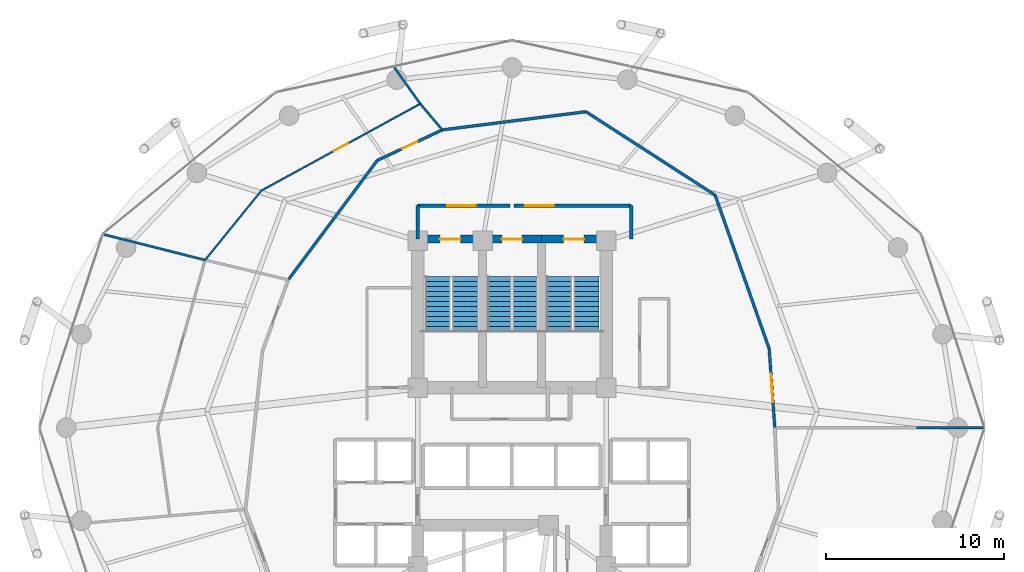
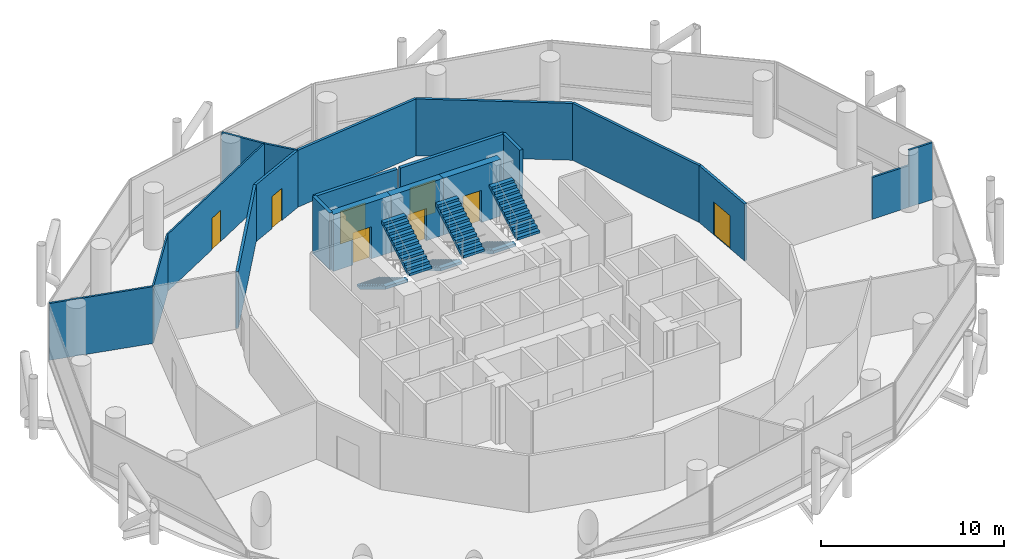
# One storey, part 23 of 24: 20 walls, 8 doors, 6 stair flights, 8 openings, 3 elements without a shape of their own.
"""IFC4 building model written with IfcOpenShell, lengths in metres."""

from ifc_helpers import new_model, si_unit, direction, frame, frame_2d, origin, place, context, subcontext, project, spatial, polyline, rectangle, outline, extrude, material, layer, layer_set, type_object, element, fill, aggregate, save


model = new_model("IFC4")

# Units and contexts
model_context = context("Model", 3, precision=1e-05, world=origin(), true_north=direction((0.0, 1.0)))
body_context = subcontext(model_context, "Body", "Model", "MODEL_VIEW")
ifc_project = project(units=[si_unit("LENGTHUNIT", "METRE"), si_unit("AREAUNIT", "SQUARE_METRE"), si_unit("VOLUMEUNIT", "CUBIC_METRE"), si_unit("PLANEANGLEUNIT", "RADIAN"), si_unit("MASSUNIT", "GRAM", prefix="KILO")], contexts=[model_context])

# Site, building, storey
site_placement = place(None, origin())
site = spatial("IfcSite", under=ifc_project, at=site_placement, CompositionType="ELEMENT")
building_placement = place(site_placement, origin())
building = spatial("IfcBuilding", under=site, at=building_placement, Name="Nuhasar Tower", CompositionType="ELEMENT")
storey_placement = place(building_placement, frame((0.0, 0.0, 89.85009765625)))
storey = spatial("IfcBuildingStorey", under=building, at=storey_placement, Name="L21", CompositionType="ELEMENT", Elevation=89.85009765625)

# Wall, opening, door
ifc_material_1 = material(Name="Concrete C50/60", Category="concrete")
ifc_layer_1 = layer(ifc_material_1, 0.449951171875)
ifc_layer_set_1 = layer_set([ifc_layer_1], Name="Concrete C50/60")
wall_type_1 = type_object("IfcWallType", Name="WL-CORE-450", PredefinedType="SHEAR", material=ifc_layer_set_1)
wall_1_placement = place(storey_placement, frame((37.35009765625, 37.39990234375, 0.0), z_axis=(0.0, 0.0, 1.0), x_axis=(-1.0, 0.0, 0.0)))
wall_1 = element("IfcWall", 1, at=wall_1_placement, inside=storey, type_object=wall_type_1, Name="L21 Stairwell Shear Wall ST01-N", PredefinedType="SHEAR", context=body_context, shape_type="SweptSolid", body=[
    extrude(rectangle(XDim=3.650146484375, YDim=0.449951171875, at=frame_2d((1.8251953125, 0.0))), origin(), (0.0, 0.0, 1.0), 3.7998046875),
])
opening_1_placement = place(wall_1_placement, frame((1.25, 0.0, 0.0)))
opening_1 = element("IfcOpeningElement", 2, at=opening_1_placement, cuts=wall_1, Name="Opening DS-01", PredefinedType="OPENING", context=body_context, shape_type="SweptSolid", body=[
    extrude(rectangle(XDim=1.14990234375, YDim=2.14990234375, at=frame_2d((0.574951171875, 1.074951171875))), frame((0.0, 0.23486328125, 0.0), z_axis=(0.0, -1.0, 0.0), x_axis=(1.0, 0.0, 0.0)), (0.0, 0.0, 1.0), 0.469970703125),
])
ifc_material_2 = material(Name="Steel S355", Category="steel")
door_type_1 = type_object("IfcDoorType", Name="DR-STAIR-FD120-1150", OperationType="NOTDEFINED", PredefinedType="DOOR", material=ifc_material_2)
door_1_placement = place(opening_1_placement, origin())
door_1 = element("IfcDoor", 3, at=door_1_placement, inside=storey, type_object=door_type_1, Name="L21 Exit Stair ST-01 Door", OperationType="SINGLE_SWING_RIGHT", OverallHeight=2.14990234375, OverallWidth=1.14990234375, PredefinedType="DOOR", context=body_context, shape_type="SweptSolid", body=[
    extrude(rectangle(XDim=1.14990234375, YDim=2.14990234375, at=frame_2d((0.574951171875, 1.074951171875))), frame((0.0, 0.02490234375, 0.0), z_axis=(0.0, -1.0, 0.0), x_axis=(1.0, 0.0, 0.0)), (0.0, 0.0, 1.0), 0.050048828125),
])
fill(opening_1, door_1)

wall_2_placement = place(storey_placement, frame((40.64990234375, 37.39990234375, 0.0), z_axis=(0.0, 0.0, 1.0), x_axis=(-1.0, 0.0, 0.0)))
wall_2 = element("IfcWall", 4, at=wall_2_placement, inside=storey, type_object=wall_type_1, Name="L21 Stairwell Shear Wall ST03-N", PredefinedType="SHEAR", context=body_context, shape_type="SweptSolid", body=[
    extrude(rectangle(XDim=3.2998046875, YDim=0.449951171875, at=frame_2d((1.64990234375, 0.0))), origin(), (0.0, 0.0, 1.0), 3.7998046875),
])
opening_2_placement = place(wall_2_placement, frame((1.074951171875, 0.0, 0.0)))
opening_2 = element("IfcOpeningElement", 5, at=opening_2_placement, cuts=wall_2, Name="Opening DS-01", PredefinedType="OPENING", context=body_context, shape_type="SweptSolid", body=[
    extrude(rectangle(XDim=1.14990234375, YDim=2.14990234375, at=frame_2d((0.574951171875, 1.074951171875))), frame((0.0, 0.23486328125, 0.0), z_axis=(0.0, -1.0, 0.0), x_axis=(1.0, 0.0, 0.0)), (0.0, 0.0, 1.0), 0.469970703125),
])
door_2_placement = place(opening_2_placement, origin())
door_2 = element("IfcDoor", 6, at=door_2_placement, inside=storey, type_object=door_type_1, Name="L21 Exit Stair ST-03 Door", OperationType="SINGLE_SWING_RIGHT", OverallHeight=2.14990234375, OverallWidth=1.14990234375, PredefinedType="DOOR", context=body_context, shape_type="SweptSolid", body=[
    extrude(rectangle(XDim=1.14990234375, YDim=2.14990234375, at=frame_2d((0.574951171875, 1.074951171875))), frame((0.0, 0.02490234375, 0.0), z_axis=(0.0, -1.0, 0.0), x_axis=(1.0, 0.0, 0.0)), (0.0, 0.0, 1.0), 0.050048828125),
])
fill(opening_2, door_2)

wall_3_placement = place(storey_placement, frame((44.300048828125, 37.39990234375, 0.0), z_axis=(0.0, 0.0, 1.0), x_axis=(-1.0, 0.0, 0.0)))
wall_3 = element("IfcWall", 7, at=wall_3_placement, inside=storey, type_object=wall_type_1, Name="L21 Stairwell Shear Wall ST02-N", PredefinedType="SHEAR", context=body_context, shape_type="SweptSolid", body=[
    extrude(rectangle(XDim=3.650146484375, YDim=0.449951171875, at=frame_2d((1.8251953125, 0.0))), origin(), (0.0, 0.0, 1.0), 3.7998046875),
])
opening_3_placement = place(wall_3_placement, frame((1.25, 0.0, 0.0)))
opening_3 = element("IfcOpeningElement", 8, at=opening_3_placement, cuts=wall_3, Name="Opening DS-01", PredefinedType="OPENING", context=body_context, shape_type="SweptSolid", body=[
    extrude(rectangle(XDim=1.14990234375, YDim=2.14990234375, at=frame_2d((0.574951171875, 1.074951171875))), frame((0.0, 0.23486328125, 0.0), z_axis=(0.0, -1.0, 0.0), x_axis=(1.0, 0.0, 0.0)), (0.0, 0.0, 1.0), 0.469970703125),
])
door_3_placement = place(opening_3_placement, origin())
door_3 = element("IfcDoor", 9, at=door_3_placement, inside=storey, type_object=door_type_1, Name="L21 Exit Stair ST-02 Door", OperationType="SINGLE_SWING_LEFT", OverallHeight=2.14990234375, OverallWidth=1.14990234375, PredefinedType="DOOR", context=body_context, shape_type="SweptSolid", body=[
    extrude(rectangle(XDim=1.14990234375, YDim=2.14990234375, at=frame_2d((0.574951171875, 1.074951171875))), frame((0.0, 0.02490234375, 0.0), z_axis=(0.0, -1.0, 0.0), x_axis=(1.0, 0.0, 0.0)), (0.0, 0.0, 1.0), 0.050048828125),
])
fill(opening_3, door_3)

ifc_material_3 = material(Name="Gypsum Board", Category="gypsum")
ifc_layer_2 = layer(ifc_material_3, 0.159912109375)
ifc_layer_set_2 = layer_set([ifc_layer_2], Name="Gypsum Board")
wall_type_2 = type_object("IfcWallType", Name="WL-CORR-160", PredefinedType="PARTITIONING", material=ifc_layer_set_2)
wall_4_placement = place(storey_placement, frame((53.455078125, 31.23388671875, 0.0), z_axis=(0.0, 0.0, 1.0), x_axis=(0.070852813603, -0.997486781268, 0.0)))
wall_4 = element("IfcWall", 10, at=wall_4_placement, inside=storey, type_object=wall_type_2, Name="L21 Interior Partition CORR-00", PredefinedType="PARTITIONING", context=body_context, shape_type="SweptSolid", body=[
    extrude(rectangle(XDim=4.445068359375, YDim=0.159912109375, at=frame_2d((2.22265625, 0.0))), origin(), (0.0, 0.0, 1.0), 3.7998046875),
])
opening_4_placement = place(wall_4_placement, frame((1.423095703125, 0.0, 0.0)))
opening_4 = element("IfcOpeningElement", 11, at=opening_4_placement, cuts=wall_4, Name="Opening DC-01", PredefinedType="OPENING", context=body_context, shape_type="SweptSolid", body=[
    extrude(rectangle(XDim=1.60009765625, YDim=2.199951171875, at=frame_2d((0.800048828125, 1.10009765625))), frame((0.0, 0.08984375, 0.0), z_axis=(0.0, -1.0, 0.0), x_axis=(1.0, 0.0, 0.0)), (0.0, 0.0, 1.0), 0.179931640625),
])
door_type_2 = type_object("IfcDoorType", Name="DR-CORR-FD60-1600", OperationType="DOUBLE_DOOR_SINGLE_SWING", PredefinedType="DOOR", material=ifc_material_2)
door_4_placement = place(opening_4_placement, origin())
door_4 = element("IfcDoor", 12, at=door_4_placement, inside=storey, type_object=door_type_2, Name="L21 Diplomatic Chancery Open-Plan Hall Entry Door", OperationType="DOUBLE_DOOR_SINGLE_SWING", OverallHeight=2.199951171875, OverallWidth=1.60009765625, PredefinedType="DOOR", context=body_context, shape_type="SweptSolid", body=[
    extrude(rectangle(XDim=1.60009765625, YDim=2.199951171875, at=frame_2d((0.800048828125, 1.10009765625))), frame((0.0, 0.02490234375, 0.0), z_axis=(0.0, -1.0, 0.0), x_axis=(1.0, 0.0, 0.0)), (0.0, 0.0, 1.0), 0.050048828125),
])
fill(opening_4, door_4)

# Walls
wall_5_placement = place(storey_placement, frame((53.455078125, 31.23388671875, 0.0), z_axis=(0.0, 0.0, 1.0), x_axis=(-0.331754156234, 0.943365878025, 0.0)))
element("IfcWall", 13, at=wall_5_placement, inside=storey, type_object=wall_type_2, Name="L21 Interior Partition CORR-02", PredefinedType="PARTITIONING", context=body_context, shape_type="SweptSolid", body=[
    extrude(rectangle(XDim=9.15478515625, YDim=0.159912109375, at=frame_2d((4.577392578125, 0.0))), origin(), (0.0, 0.0, 1.0), 3.7998046875),
])
wall_6_placement = place(storey_placement, frame((50.41796875, 39.8701171875, 0.0), z_axis=(0.0, 0.0, 1.0), x_axis=(-0.840113125335, 0.542411224662, 0.0)))
element("IfcWall", 14, at=wall_6_placement, inside=storey, type_object=wall_type_2, Name="L21 Interior Partition CORR-06", PredefinedType="PARTITIONING", context=body_context, shape_type="SweptSolid", body=[
    extrude(rectangle(XDim=8.642822265625, YDim=0.159912109375, at=frame_2d((4.3212890625, 0.0))), origin(), (0.0, 0.0, 1.0), 3.7998046875),
])
wall_7_placement = place(storey_placement, frame((43.156982421875, 44.55810546875, 0.0), z_axis=(0.0, 0.0, 1.0), x_axis=(-0.992082384678, -0.125588781395, 0.0)))
element("IfcWall", 15, at=wall_7_placement, inside=storey, type_object=wall_type_2, Name="L21 Interior Partition CORR-10", PredefinedType="PARTITIONING", context=body_context, shape_type="SweptSolid", body=[
    extrude(rectangle(XDim=8.139404296875, YDim=0.159912109375, at=frame_2d((4.06982421875, 0.0))), origin(), (0.0, 0.0, 1.0), 3.7998046875),
])

# Wall, opening, door
wall_8_placement = place(storey_placement, frame((31.425048828125, 41.818115234375, 0.0), z_axis=(0.0, 0.0, 1.0), x_axis=(0.905119749385, 0.42515672319, 0.0)))
wall_8 = element("IfcWall", 16, at=wall_8_placement, inside=storey, type_object=wall_type_2, Name="L21 Interior Partition CORR-14", PredefinedType="PARTITIONING", context=body_context, shape_type="SweptSolid", body=[
    extrude(rectangle(XDim=4.040283203125, YDim=0.159912109375, at=frame_2d((2.02001953125, 0.0))), origin(), (0.0, 0.0, 1.0), 3.7998046875),
])
opening_5_placement = place(wall_8_placement, frame((1.544921875, 0.0, 0.0)))
opening_5 = element("IfcOpeningElement", 17, at=opening_5_placement, cuts=wall_8, Name="Opening DO-01", PredefinedType="OPENING", context=body_context, shape_type="SweptSolid", body=[
    extrude(rectangle(XDim=0.949951171875, YDim=2.14990234375, at=frame_2d((0.47509765625, 1.074951171875))), frame((0.0, 0.08984375, 0.0), z_axis=(0.0, -1.0, 0.0), x_axis=(1.0, 0.0, 0.0)), (0.0, 0.0, 1.0), 0.179931640625),
])
ifc_material_4 = material(Name="Timber Oak", Category="wood")
door_type_3 = type_object("IfcDoorType", Name="DR-OFFICE-FD30-950", OperationType="NOTDEFINED", PredefinedType="DOOR", material=ifc_material_4)
door_5_placement = place(opening_5_placement, origin())
door_5 = element("IfcDoor", 18, at=door_5_placement, inside=storey, type_object=door_type_3, Name="L21 Ambassador Ceremonial Hall Entry Door", OperationType="SINGLE_SWING_LEFT", OverallHeight=2.14990234375, OverallWidth=0.949951171875, PredefinedType="DOOR", context=body_context, shape_type="SweptSolid", body=[
    extrude(rectangle(XDim=0.949951171875, YDim=2.14990234375, at=frame_2d((0.47509765625, 1.074951171875))), frame((0.0, 0.02490234375, 0.0), z_axis=(0.0, -1.0, 0.0), x_axis=(1.0, 0.0, 0.0)), (0.0, 0.0, 1.0), 0.050048828125),
])
fill(opening_5, door_5)

# Walls
wall_9_placement = place(storey_placement, frame((31.425048828125, 41.818115234375, 0.0), z_axis=(0.0, 0.0, 1.0), x_axis=(-0.597625536664, -0.801775353779, 0.0)))
element("IfcWall", 19, at=wall_9_placement, inside=storey, type_object=wall_type_2, Name="L21 Interior Partition CORR-16", PredefinedType="PARTITIONING", context=body_context, shape_type="SweptSolid", body=[
    extrude(rectangle(XDim=8.366455078125, YDim=0.159912109375, at=frame_2d((4.18310546875, 0.0))), origin(), (0.0, 0.0, 1.0), 3.7998046875),
])
ifc_material_5 = material(Name="Concrete C45/55", Category="concrete")
ifc_layer_3 = layer(ifc_material_5, 0.199951171875)
ifc_layer_set_3 = layer_set([ifc_layer_3], Name="Concrete C45/55")
wall_type_3 = type_object("IfcWallType", Name="WL-LOBBY-200", PredefinedType="SOLIDWALL", material=ifc_layer_set_3)
for number, where, z_axis, x_axis, name in (
    (20, (33.699951171875, 37.39990234375, 0.0), (0.0, 0.0, 1.0), (0.0, 1.0, 0.0), "L21 Interior Partition NSL-W"),
    (21, (45.699951171875, 37.39990234375, 0.0), (0.0, 0.0, 1.0), (0.0, 1.0, 0.0), "L21 Interior Partition NSL-E"),
):
    element("IfcWall", number, at=place(storey_placement, frame(where, z_axis=z_axis, x_axis=x_axis)), inside=storey, type_object=wall_type_3, Name=name, PredefinedType="SOLIDWALL", context=body_context, shape_type="SweptSolid", body=[
        extrude(rectangle(XDim=1.880126953125, YDim=0.199951171875, at=frame_2d((0.93994140625, 0.0))), origin(), (0.0, 0.0, 1.0), 3.7998046875),
    ])

# Wall, opening, door
wall_10_placement = place(storey_placement, frame((38.89990234375, 39.280029296875, 0.0), z_axis=(0.0, 0.0, 1.0), x_axis=(-1.0, 0.0, 0.0)))
wall_10 = element("IfcWall", 22, at=wall_10_placement, inside=storey, type_object=wall_type_3, Name="L21 Interior Partition NSL-N1", PredefinedType="SOLIDWALL", context=body_context, shape_type="SweptSolid", body=[
    extrude(rectangle(XDim=5.199951171875, YDim=0.199951171875, at=frame_2d((2.60009765625, 0.0))), origin(), (0.0, 0.0, 1.0), 3.7998046875),
])
opening_6_placement = place(wall_10_placement, frame((1.949951171875, 0.0, 0.0)))
opening_6 = element("IfcOpeningElement", 23, at=opening_6_placement, cuts=wall_10, Name="Opening DC-01", PredefinedType="OPENING", context=body_context, shape_type="SweptSolid", body=[
    extrude(rectangle(XDim=1.60009765625, YDim=2.199951171875, at=frame_2d((0.800048828125, 1.10009765625))), frame((0.0, 0.10986328125, 0.0), z_axis=(0.0, -1.0, 0.0), x_axis=(1.0, 0.0, 0.0)), (0.0, 0.0, 1.0), 0.219970703125),
])
door_6_placement = place(opening_6_placement, origin())
door_6 = element("IfcDoor", 24, at=door_6_placement, inside=storey, type_object=door_type_2, Name="L21 North Stair Lobby West Door", OperationType="DOUBLE_DOOR_SINGLE_SWING", OverallHeight=2.199951171875, OverallWidth=1.60009765625, PredefinedType="DOOR", context=body_context, shape_type="SweptSolid", body=[
    extrude(rectangle(XDim=1.60009765625, YDim=2.199951171875, at=frame_2d((0.800048828125, 1.10009765625))), frame((0.0, 0.02490234375, 0.0), z_axis=(0.0, -1.0, 0.0), x_axis=(1.0, 0.0, 0.0)), (0.0, 0.0, 1.0), 0.050048828125),
])
fill(opening_6, door_6)

wall_11_placement = place(storey_placement, frame((45.699951171875, 39.280029296875, 0.0), z_axis=(0.0, 0.0, 1.0), x_axis=(-1.0, 0.0, 0.0)))
wall_11 = element("IfcWall", 25, at=wall_11_placement, inside=storey, type_object=wall_type_3, Name="L21 Interior Partition NSL-N2", PredefinedType="SOLIDWALL", context=body_context, shape_type="SweptSolid", body=[
    extrude(rectangle(XDim=6.599853515625, YDim=0.199951171875, at=frame_2d((3.2998046875, 0.0))), origin(), (0.0, 0.0, 1.0), 3.7998046875),
])
opening_7_placement = place(wall_11_placement, frame((4.35009765625, 0.0, 0.0)))
opening_7 = element("IfcOpeningElement", 26, at=opening_7_placement, cuts=wall_11, Name="Opening DC-01", PredefinedType="OPENING", context=body_context, shape_type="SweptSolid", body=[
    extrude(rectangle(XDim=1.60009765625, YDim=2.199951171875, at=frame_2d((0.800048828125, 1.10009765625))), frame((0.0, 0.10986328125, 0.0), z_axis=(0.0, -1.0, 0.0), x_axis=(1.0, 0.0, 0.0)), (0.0, 0.0, 1.0), 0.219970703125),
])
door_7_placement = place(opening_7_placement, origin())
door_7 = element("IfcDoor", 27, at=door_7_placement, inside=storey, type_object=door_type_2, Name="L21 North Stair Lobby East Door", OperationType="DOUBLE_DOOR_SINGLE_SWING", OverallHeight=2.199951171875, OverallWidth=1.60009765625, PredefinedType="DOOR", context=body_context, shape_type="SweptSolid", body=[
    extrude(rectangle(XDim=1.60009765625, YDim=2.199951171875, at=frame_2d((0.800048828125, 1.10009765625))), frame((0.0, 0.02490234375, 0.0), z_axis=(0.0, -1.0, 0.0), x_axis=(1.0, 0.0, 0.0)), (0.0, 0.0, 1.0), 0.050048828125),
])
fill(opening_7, door_7)

ifc_material_6 = material(Name="Aluminium 6063-T6", Category="aluminium")
ifc_layer_4 = layer(ifc_material_6, 0.10009765625)
ifc_layer_set_4 = layer_set([ifc_layer_4], Name="Aluminium 6063-T6")
wall_type_4 = type_object("IfcWallType", Name="WL-MOVABLE-100", PredefinedType="MOVABLE", material=ifc_layer_set_4)
wall_12_placement = place(storey_placement, frame((24.916015625, 40.125, 0.0), z_axis=(0.0, 0.0, 1.0), x_axis=(0.877622145541, 0.479353074107, 0.0)))
wall_12 = element("IfcWall", 28, at=wall_12_placement, inside=storey, type_object=wall_type_4, Name="L21 Interior Partition OMID-02-14", PredefinedType="MOVABLE", context=body_context, shape_type="SweptSolid", body=[
    extrude(rectangle(XDim=10.174072265625, YDim=0.10009765625, at=frame_2d((5.0869140625, 0.0))), origin(), (0.0, 0.0, 1.0), 3.7998046875),
])
opening_8_placement = place(wall_12_placement, frame((4.636962890625, 0.0, 0.0)))
opening_8 = element("IfcOpeningElement", 29, at=opening_8_placement, cuts=wall_12, Name="Opening DR-01", PredefinedType="OPENING", context=body_context, shape_type="SweptSolid", body=[
    extrude(rectangle(XDim=0.89990234375, YDim=2.10009765625, at=frame_2d((0.449951171875, 1.050048828125))), frame((0.0, 0.06005859375, 0.0), z_axis=(0.0, -1.0, 0.0), x_axis=(1.0, 0.0, 0.0)), (0.0, 0.0, 1.0), 0.1201171875),
])
door_type_4 = type_object("IfcDoorType", Name="DR-ROOM-900", OperationType="NOTDEFINED", PredefinedType="DOOR", material=ifc_material_4)
door_8_placement = place(opening_8_placement, origin())
door_8 = element("IfcDoor", 30, at=door_8_placement, inside=storey, type_object=door_type_4, Name="L21 Ambassador Ceremonial Hall Inner Door", OperationType="SINGLE_SWING_RIGHT", OverallHeight=2.10009765625, OverallWidth=0.89990234375, PredefinedType="DOOR", context=body_context, shape_type="SweptSolid", body=[
    extrude(rectangle(XDim=0.89990234375, YDim=2.10009765625, at=frame_2d((0.449951171875, 1.050048828125))), frame((0.0, 0.02490234375, 0.0), z_axis=(0.0, -1.0, 0.0), x_axis=(1.0, 0.0, 0.0)), (0.0, 0.0, 1.0), 0.050048828125),
])
fill(opening_8, door_8)

# Walls
wall_13_placement = place(storey_placement, frame((24.916015625, 40.125, 0.0), z_axis=(0.0, 0.0, 1.0), x_axis=(-0.629847907994, -0.776718490057, 0.0)))
element("IfcWall", 31, at=wall_13_placement, inside=storey, type_object=wall_type_4, Name="L21 Interior Partition OMID-02-18", PredefinedType="MOVABLE", context=body_context, shape_type="SweptSolid", body=[
    extrude(rectangle(XDim=5.025146484375, YDim=0.10009765625, at=frame_2d((2.5126953125, 0.0))), origin(), (0.0, 0.0, 1.0), 3.7998046875),
])
ifc_layer_5 = layer(ifc_material_3, 0.125)
ifc_layer_set_5 = layer_set([ifc_layer_5], Name="Gypsum Board")
wall_type_5 = type_object("IfcWallType", Name="WL-PART-125", PredefinedType="PARTITIONING", material=ifc_layer_set_5)
wall_14_placement = place(storey_placement, frame((61.72998046875, 26.800048828125, 0.0), z_axis=(0.0, 0.0, 1.0), x_axis=(1.0, 0.0, 0.0)))
element("IfcWall", 32, at=wall_14_placement, inside=storey, type_object=wall_type_5, Name="L21 Interior Partition ORAD-00", PredefinedType="PARTITIONING", context=body_context, shape_type="SweptSolid", body=[
    extrude(rectangle(XDim=2.326904296875, YDim=0.125, at=frame_2d((1.16357421875, 0.0))), origin(), (0.0, 0.0, 1.0), 2.789794921875),
])
wall_15_placement = place(storey_placement, frame((64.056884765625, 26.800048828125, 0.0), z_axis=(0.0, 0.0, 1.0), x_axis=(1.0, 0.0, 0.0)))
element("IfcWall", 33, at=wall_15_placement, inside=storey, type_object=wall_type_5, Name="L21 Interior Partition ORAD-00", PredefinedType="PARTITIONING", context=body_context, shape_type="SweptSolid", body=[
    extrude(rectangle(XDim=1.468017578125, YDim=0.125, at=frame_2d((0.73388671875, 0.0))), origin(), (0.0, 0.0, 1.0), 3.7998046875),
])
wall_16_placement = place(storey_placement, frame((35.08203125, 43.535888671875, 0.0), z_axis=(0.0, 0.0, 1.0), x_axis=(-0.644891848608, 0.764273840713, 0.0)))
element("IfcWall", 34, at=wall_16_placement, inside=storey, type_object=wall_type_5, Name="L21 Interior Partition ORAD-14-S1", PredefinedType="PARTITIONING", context=body_context, shape_type="SweptSolid", body=[
    extrude(rectangle(XDim=1.918212890625, YDim=0.125, at=frame_2d((0.958984375, 0.0))), origin(), (0.0, 0.0, 1.0), 3.7998046875),
])
wall_17_placement = place(storey_placement, frame((33.844970703125, 45.001953125, 0.0), z_axis=(0.0, 0.0, 1.0), x_axis=(-0.581119990345, 0.813817889224, 0.0)))
element("IfcWall", 35, at=wall_17_placement, inside=storey, type_object=wall_type_5, Name="L21 Interior Partition ORAD-14-S2", PredefinedType="PARTITIONING", context=body_context, shape_type="SweptSolid", body=[
    extrude(rectangle(XDim=2.5400390625, YDim=0.125, at=frame_2d((1.27001953125, 0.0))), origin(), (0.0, 0.0, 1.0), 3.7998046875),
])
wall_18_placement = place(storey_placement, frame((21.7509765625, 36.221923828125, 0.0), z_axis=(0.0, 0.0, 1.0), x_axis=(-0.969715081033, 0.244238943693, 0.0)))
element("IfcWall", 36, at=wall_18_placement, inside=storey, type_object=wall_type_5, Name="L21 Interior Partition ORAD-20-S2", PredefinedType="PARTITIONING", context=body_context, shape_type="SweptSolid", body=[
    extrude(rectangle(XDim=5.900634765625, YDim=0.125, at=frame_2d((2.9501953125, 0.0))), origin(), (0.0, 0.0, 1.0), 3.7998046875),
])

# Stair, stair flights
stair_type_1 = type_object("IfcStairType", Name="STR-ST-01-2F-24R-1688", PredefinedType="HALF_TURN_STAIR", material=ifc_material_5)
stair_1_placement = place(storey_placement, origin())
stair_1 = element("IfcStair", 37, at=stair_1_placement, inside=storey, type_object=stair_type_1, Name="L21 Exit Stair ST-01", PredefinedType="HALF_TURN_STAIR")
stair_flight_type_1 = type_object("IfcStairFlightType", Name="SFL-ST-01-12R-1688", PredefinedType="STRAIGHT", material=ifc_material_5)
stair_flight_1_placement = place(storey_placement, frame((34.830078125, 35.284912109375, 0.0), z_axis=(0.0, 0.0, 1.0), x_axis=(0.0, -1.0, 0.0)))
stair_flight_1 = element("IfcStairFlight", 38, at=stair_flight_1_placement, type_object=stair_flight_type_1, Name="ST-01 flight 1", NumberOfRisers=12, NumberOfTreads=11, PredefinedType="STRAIGHT", RiserHeight=0.16875, TreadLength=0.28, context=body_context, shape_type="SweptSolid", body=[
    extrude(outline(polyline([(0.0, 0.0), (0.0, 0.168701171875), (0.280029296875, 0.168701171875), (0.280029296875, 0.33740234375), (0.56005859375, 0.33740234375), (0.56005859375, 0.50634765625), (0.840087890625, 0.50634765625), (0.840087890625, 0.675048828125), (1.1201171875, 0.675048828125), (1.1201171875, 0.84375), (1.39990234375, 0.84375), (1.39990234375, 1.012451171875), (1.679931640625, 1.012451171875), (1.679931640625, 1.18115234375), (1.9599609375, 1.18115234375), (1.9599609375, 1.35009765625), (2.239990234375, 1.35009765625), (2.239990234375, 1.518798828125), (2.52001953125, 1.518798828125), (2.52001953125, 1.6875), (2.800048828125, 1.6875), (2.800048828125, 1.856201171875), (3.080078125, 1.856201171875), (3.080078125, 2.02490234375), (3.080078125, 1.66943359375), (0.309814453125, 0.0), (0.0, 0.0)])), frame((0.0, 0.7099609375, 0.0), z_axis=(0.0, -1.0, 0.0), x_axis=(1.0, 0.0, 0.0)), (0.0, 0.0, 1.0), 1.419921875),
])
stair_flight_2_placement = place(storey_placement, frame((36.35009765625, 32.205078125, 2.02490234375), z_axis=(0.0, 0.0, 1.0), x_axis=(0.0, 1.0, 0.0)))
stair_flight_2 = element("IfcStairFlight", 39, at=stair_flight_2_placement, type_object=stair_flight_type_1, Name="ST-01 flight 2", NumberOfRisers=12, NumberOfTreads=11, PredefinedType="STRAIGHT", RiserHeight=0.16875, TreadLength=0.28, context=body_context, shape_type="SweptSolid", body=[
    extrude(outline(polyline([(0.0, 0.0), (0.0, 0.168701171875), (0.280029296875, 0.168701171875), (0.280029296875, 0.33740234375), (0.56005859375, 0.33740234375), (0.56005859375, 0.50634765625), (0.840087890625, 0.50634765625), (0.840087890625, 0.675048828125), (1.1201171875, 0.675048828125), (1.1201171875, 0.84375), (1.39990234375, 0.84375), (1.39990234375, 1.012451171875), (1.679931640625, 1.012451171875), (1.679931640625, 1.18115234375), (1.9599609375, 1.18115234375), (1.9599609375, 1.35009765625), (2.239990234375, 1.35009765625), (2.239990234375, 1.518798828125), (2.52001953125, 1.518798828125), (2.52001953125, 1.6875), (2.800048828125, 1.6875), (2.800048828125, 1.856201171875), (3.080078125, 1.856201171875), (3.080078125, 2.02490234375), (3.080078125, 1.66943359375), (0.309814453125, 0.0), (0.0, 0.0)])), frame((0.0, 0.7099609375, 0.0), z_axis=(0.0, -1.0, 0.0), x_axis=(1.0, 0.0, 0.0)), (0.0, 0.0, 1.0), 1.419921875),
])
aggregate(stair_1, [stair_flight_1, stair_flight_2])

stair_type_2 = type_object("IfcStairType", Name="STR-ST-02-2F-24R-1688", PredefinedType="HALF_TURN_STAIR", material=ifc_material_5)
stair_2_placement = place(storey_placement, origin())
stair_2 = element("IfcStair", 40, at=stair_2_placement, inside=storey, type_object=stair_type_2, Name="L21 Exit Stair ST-02", PredefinedType="HALF_TURN_STAIR")
stair_flight_type_2 = type_object("IfcStairFlightType", Name="SFL-ST-02-12R-1688", PredefinedType="STRAIGHT", material=ifc_material_5)
stair_flight_3_placement = place(storey_placement, frame((41.64990234375, 35.284912109375, 0.0), z_axis=(0.0, 0.0, 1.0), x_axis=(0.0, -1.0, 0.0)))
stair_flight_3 = element("IfcStairFlight", 41, at=stair_flight_3_placement, type_object=stair_flight_type_2, Name="ST-02 flight 1", NumberOfRisers=12, NumberOfTreads=11, PredefinedType="STRAIGHT", RiserHeight=0.16875, TreadLength=0.28, context=body_context, shape_type="SweptSolid", body=[
    extrude(outline(polyline([(0.0, 0.0), (0.0, 0.168701171875), (0.280029296875, 0.168701171875), (0.280029296875, 0.33740234375), (0.56005859375, 0.33740234375), (0.56005859375, 0.50634765625), (0.840087890625, 0.50634765625), (0.840087890625, 0.675048828125), (1.1201171875, 0.675048828125), (1.1201171875, 0.84375), (1.39990234375, 0.84375), (1.39990234375, 1.012451171875), (1.679931640625, 1.012451171875), (1.679931640625, 1.18115234375), (1.9599609375, 1.18115234375), (1.9599609375, 1.35009765625), (2.239990234375, 1.35009765625), (2.239990234375, 1.518798828125), (2.52001953125, 1.518798828125), (2.52001953125, 1.6875), (2.800048828125, 1.6875), (2.800048828125, 1.856201171875), (3.080078125, 1.856201171875), (3.080078125, 2.02490234375), (3.080078125, 1.66943359375), (0.309814453125, 0.0), (0.0, 0.0)])), frame((0.0, 0.7099609375, 0.0), z_axis=(0.0, -1.0, 0.0), x_axis=(1.0, 0.0, 0.0)), (0.0, 0.0, 1.0), 1.419921875),
])
stair_flight_4_placement = place(storey_placement, frame((43.169921875, 32.205078125, 2.02490234375), z_axis=(0.0, 0.0, 1.0), x_axis=(0.0, 1.0, 0.0)))
stair_flight_4 = element("IfcStairFlight", 42, at=stair_flight_4_placement, type_object=stair_flight_type_2, Name="ST-02 flight 2", NumberOfRisers=12, NumberOfTreads=11, PredefinedType="STRAIGHT", RiserHeight=0.16875, TreadLength=0.28, context=body_context, shape_type="SweptSolid", body=[
    extrude(outline(polyline([(0.0, 0.0), (0.0, 0.168701171875), (0.280029296875, 0.168701171875), (0.280029296875, 0.33740234375), (0.56005859375, 0.33740234375), (0.56005859375, 0.50634765625), (0.840087890625, 0.50634765625), (0.840087890625, 0.675048828125), (1.1201171875, 0.675048828125), (1.1201171875, 0.84375), (1.39990234375, 0.84375), (1.39990234375, 1.012451171875), (1.679931640625, 1.012451171875), (1.679931640625, 1.18115234375), (1.9599609375, 1.18115234375), (1.9599609375, 1.35009765625), (2.239990234375, 1.35009765625), (2.239990234375, 1.518798828125), (2.52001953125, 1.518798828125), (2.52001953125, 1.6875), (2.800048828125, 1.6875), (2.800048828125, 1.856201171875), (3.080078125, 1.856201171875), (3.080078125, 2.02490234375), (3.080078125, 1.66943359375), (0.309814453125, 0.0), (0.0, 0.0)])), frame((0.0, 0.7099609375, 0.0), z_axis=(0.0, -1.0, 0.0), x_axis=(1.0, 0.0, 0.0)), (0.0, 0.0, 1.0), 1.419921875),
])
aggregate(stair_2, [stair_flight_3, stair_flight_4])

stair_type_3 = type_object("IfcStairType", Name="STR-ST-03-2F-24R-1688", PredefinedType="HALF_TURN_STAIR", material=ifc_material_5)
stair_3_placement = place(storey_placement, origin())
stair_3 = element("IfcStair", 43, at=stair_3_placement, inside=storey, type_object=stair_type_3, Name="L21 Exit Stair ST-03", PredefinedType="HALF_TURN_STAIR")
stair_flight_type_3 = type_object("IfcStairFlightType", Name="SFL-ST-03-12R-1688", PredefinedType="STRAIGHT", material=ifc_material_5)
stair_flight_5_placement = place(storey_placement, frame((38.280029296875, 35.284912109375, 0.0), z_axis=(0.0, 0.0, 1.0), x_axis=(0.0, -1.0, 0.0)))
stair_flight_5 = element("IfcStairFlight", 44, at=stair_flight_5_placement, type_object=stair_flight_type_3, Name="ST-03 flight 1", NumberOfRisers=12, NumberOfTreads=11, PredefinedType="STRAIGHT", RiserHeight=0.16875, TreadLength=0.28, context=body_context, shape_type="SweptSolid", body=[
    extrude(outline(polyline([(0.0, 0.0), (0.0, 0.168701171875), (0.280029296875, 0.168701171875), (0.280029296875, 0.33740234375), (0.56005859375, 0.33740234375), (0.56005859375, 0.50634765625), (0.840087890625, 0.50634765625), (0.840087890625, 0.675048828125), (1.1201171875, 0.675048828125), (1.1201171875, 0.84375), (1.39990234375, 0.84375), (1.39990234375, 1.012451171875), (1.679931640625, 1.012451171875), (1.679931640625, 1.18115234375), (1.9599609375, 1.18115234375), (1.9599609375, 1.35009765625), (2.239990234375, 1.35009765625), (2.239990234375, 1.518798828125), (2.52001953125, 1.518798828125), (2.52001953125, 1.6875), (2.800048828125, 1.6875), (2.800048828125, 1.856201171875), (3.080078125, 1.856201171875), (3.080078125, 2.02490234375), (3.080078125, 1.66943359375), (0.309814453125, 0.0), (0.0, 0.0)])), frame((0.0, 0.669921875, 0.0), z_axis=(0.0, -1.0, 0.0), x_axis=(1.0, 0.0, 0.0)), (0.0, 0.0, 1.0), 1.340087890625),
])
stair_flight_6_placement = place(storey_placement, frame((39.719970703125, 32.205078125, 2.02490234375), z_axis=(0.0, 0.0, 1.0), x_axis=(0.0, 1.0, 0.0)))
stair_flight_6 = element("IfcStairFlight", 45, at=stair_flight_6_placement, type_object=stair_flight_type_3, Name="ST-03 flight 2", NumberOfRisers=12, NumberOfTreads=11, PredefinedType="STRAIGHT", RiserHeight=0.16875, TreadLength=0.28, context=body_context, shape_type="SweptSolid", body=[
    extrude(outline(polyline([(0.0, 0.0), (0.0, 0.168701171875), (0.280029296875, 0.168701171875), (0.280029296875, 0.33740234375), (0.56005859375, 0.33740234375), (0.56005859375, 0.50634765625), (0.840087890625, 0.50634765625), (0.840087890625, 0.675048828125), (1.1201171875, 0.675048828125), (1.1201171875, 0.84375), (1.39990234375, 0.84375), (1.39990234375, 1.012451171875), (1.679931640625, 1.012451171875), (1.679931640625, 1.18115234375), (1.9599609375, 1.18115234375), (1.9599609375, 1.35009765625), (2.239990234375, 1.35009765625), (2.239990234375, 1.518798828125), (2.52001953125, 1.518798828125), (2.52001953125, 1.6875), (2.800048828125, 1.6875), (2.800048828125, 1.856201171875), (3.080078125, 1.856201171875), (3.080078125, 2.02490234375), (3.080078125, 1.66943359375), (0.309814453125, 0.0), (0.0, 0.0)])), frame((0.0, 0.669921875, 0.0), z_axis=(0.0, -1.0, 0.0), x_axis=(1.0, 0.0, 0.0)), (0.0, 0.0, 1.0), 1.340087890625),
])
aggregate(stair_3, [stair_flight_5, stair_flight_6])

save(model, "model.ifc")
